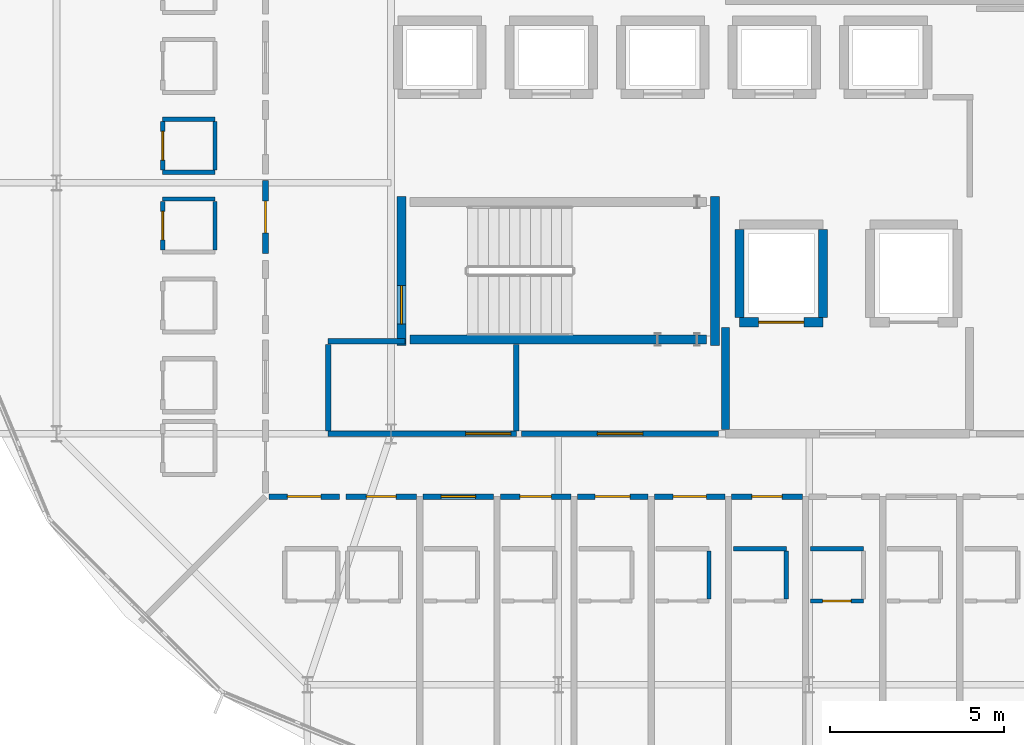
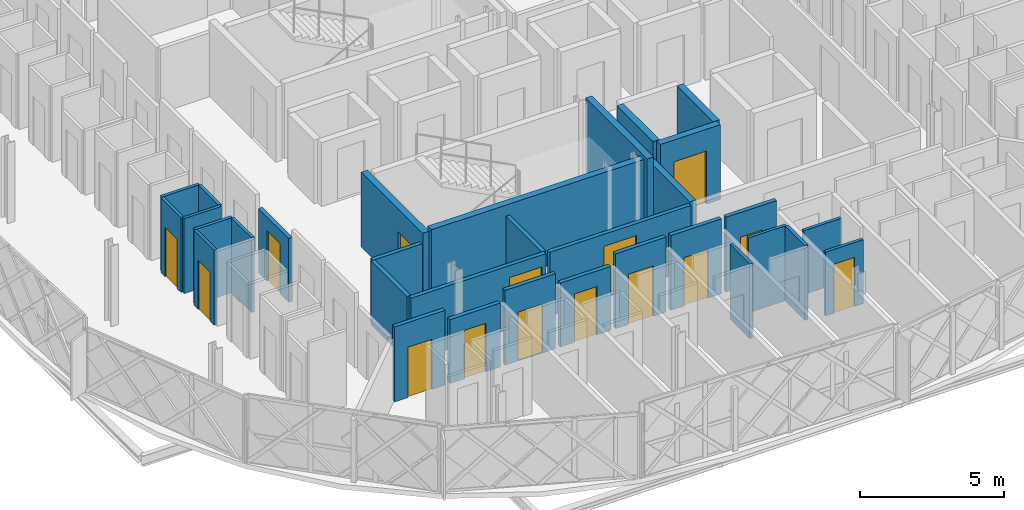
# One storey, part 14 of 25: 32 walls, 15 doors, 15 openings.
"""IFC4 building model written with IfcOpenShell, lengths in metres."""

import ifcopenshell
import ifcopenshell.guid

model = None  # the IFC model being written
_history = None  # IfcOwnerHistory: only IFC2X3 demands one
_inside = {}  # id of a spatial element -> (the spatial element, [elements in it])
_under = {}  # id of a project, library or spatial element -> (it, [spatial elements below it])
_declared = {}  # id of a project -> (the project, [libraries it declares])
_typed = {}  # id of a type object -> (the type object, [elements of that type])
_made_of = {}  # id of a material, layer set ... -> (it, [elements and type objects made of it])


def new_model(schema):
    """Start an empty IFC model of exactly this schema.

    Asked for "IFC4X3", IfcOpenShell would pick the latest addendum, in which some entities
    have other attributes; the version numbers below select the first issue.
    IFC2X3 requires an IfcOwnerHistory on every rooted entity: one is made here for all.
    """
    global model, _history
    if schema == "IFC4X3":
        model = ifcopenshell.file(schema_version=(4, 3, 0, 0))
    else:
        model = ifcopenshell.file(schema=schema)
    _inside.clear()
    _under.clear()
    _declared.clear()
    _typed.clear()
    _made_of.clear()
    _history = None
    if model.schema == "IFC2X3":
        org = make("IfcOrganization", Name="unknown")
        user = make(
            "IfcPersonAndOrganization",
            ThePerson=make("IfcPerson", FamilyName="unknown"),
            TheOrganization=org,
        )
        app = make(
            "IfcApplication",
            ApplicationDeveloper=org,
            Version="unknown",
            ApplicationFullName="unknown",
            ApplicationIdentifier="unknown",
        )
        _history = make(
            "IfcOwnerHistory",
            OwningUser=user,
            OwningApplication=app,
            ChangeAction="ADDED",
            CreationDate=0,
        )
    return model


def make(cls, **values):
    """One entity of the class cls with the attributes given. An attribute that is None is left unset."""
    return model.create_entity(
        cls, **{name: value for name, value in values.items() if value is not None}
    )


def rooted(cls, **values):
    """An entity with a GlobalId (a new one), such as an element, a storey or a relation."""
    return make(cls, GlobalId=ifcopenshell.guid.new(), OwnerHistory=_history, **values)


def si_unit(unit_type, name, prefix=None):
    """IfcSIUnit, for example si_unit("LENGTHUNIT", "METRE", prefix="MILLI")."""
    return make("IfcSIUnit", UnitType=unit_type, Prefix=prefix, Name=name)


def assignment(units):
    """IfcUnitAssignment: the units of a project."""
    return None if units is None else make("IfcUnitAssignment", Units=units)


def point(xyz):
    """IfcCartesianPoint."""
    return None if xyz is None else make("IfcCartesianPoint", Coordinates=xyz)


def direction(xyz):
    """IfcDirection."""
    return None if xyz is None else make("IfcDirection", DirectionRatios=xyz)


def frame(location, z_axis=None, x_axis=None):
    """IfcAxis2Placement3D, a coordinate frame: its origin and axes. An axis left out is left unset."""
    return make(
        "IfcAxis2Placement3D",
        Location=point(location),
        Axis=direction(z_axis),
        RefDirection=direction(x_axis),
    )


def frame_2d(location, x_axis=None):
    """IfcAxis2Placement2D, a coordinate frame in the plane: its origin and x axis."""
    return make(
        "IfcAxis2Placement2D", Location=point(location), RefDirection=direction(x_axis)
    )


def origin():
    """The frame at (0, 0, 0) with its axes left unset."""
    return frame((0.0, 0.0, 0.0))


def place(relative_to, where):
    """IfcLocalPlacement: puts the frame where relative to a parent placement (None: the world)."""
    return make(
        "IfcLocalPlacement", PlacementRelTo=relative_to, RelativePlacement=where
    )


def context(
    kind, dimensions, precision=None, world=None, true_north=None, identifier=None
):
    """IfcGeometricRepresentationContext, for example the 3D "Model" context."""
    return make(
        "IfcGeometricRepresentationContext",
        ContextIdentifier=identifier,
        ContextType=kind,
        CoordinateSpaceDimension=dimensions,
        Precision=precision,
        WorldCoordinateSystem=world,
        TrueNorth=true_north,
    )


def subcontext(parent, identifier, kind, view, scale=None):
    """IfcGeometricRepresentationSubContext, for example "Body" below "Model"."""
    return make(
        "IfcGeometricRepresentationSubContext",
        ContextIdentifier=identifier,
        ContextType=kind,
        ParentContext=parent,
        TargetScale=scale,
        TargetView=view,
    )


def project(units=None, contexts=None):
    """IfcProject with its units and contexts."""
    return rooted(
        "IfcProject",
        Name="project",
        RepresentationContexts=contexts,
        UnitsInContext=assignment(units),
    )


def spatial(cls, under=None, at=None, **own):
    """A site, building, storey or space (cls), placed at a placement, below another one or the project."""
    s = rooted(cls, ObjectPlacement=at, **own)
    if under is not None:
        _under.setdefault(under.id(), (under, []))[1].append(s)
    return s


def profile(cls, at=None, kind="AREA", **sizes):
    """A parametric profile (cls). Its sizes go by their IFC names, for example OverallWidth=200.0."""
    return make(cls, ProfileType=kind, Position=at, **sizes)


def rectangle(**sizes):
    """IfcRectangleProfileDef."""
    return profile("IfcRectangleProfileDef", **sizes)


def extrude(swept, where, along, depth):
    """IfcExtrudedAreaSolid: the profile swept, set in the frame where, extruded along a direction by depth."""
    return make(
        "IfcExtrudedAreaSolid",
        SweptArea=swept,
        Position=where,
        ExtrudedDirection=direction(along),
        Depth=depth,
    )


def shape(context_of_items, identifier, shape_type, items):
    """IfcShapeRepresentation: the items that make up one representation, for example the "Body"."""
    return make(
        "IfcShapeRepresentation",
        ContextOfItems=context_of_items,
        RepresentationIdentifier=identifier,
        RepresentationType=shape_type,
        Items=items,
    )


def material(Name=None, Category=None):
    """IfcMaterial."""
    return make("IfcMaterial", Name=Name, Category=Category)


def layer(
    of_material, thickness, ventilated=None, Name=None, Category=None, Priority=None
):
    """IfcMaterialLayer: one layer of a wall or slab, of a material (None: an air gap)."""
    return make(
        "IfcMaterialLayer",
        Material=of_material,
        LayerThickness=thickness,
        IsVentilated=ventilated,
        Name=Name,
        Category=Category,
        Priority=Priority,
    )


def layer_set(layers, Name=None):
    """IfcMaterialLayerSet."""
    return make("IfcMaterialLayerSet", MaterialLayers=layers, LayerSetName=Name)


def made_of(thing, what):
    """Note that an element or type object is made of a material, layer set ...; save() writes the relation."""
    if what is not None:
        _made_of.setdefault(what.id(), (what, []))[1].append(thing)
    return thing


def type_object(cls, material=None, **own):
    """A type object (cls), such as IfcWallType, which elements share."""
    return made_of(rooted(cls, **own), material)


def element(
    cls,
    number,
    at=None,
    inside=None,
    cuts=None,
    type_object=None,
    material=None,
    context=None,
    identifier="Body",
    shape_type=None,
    held_by="IfcProductDefinitionShape",
    body=None,
    shapes=None,
    **own,
):
    """One element of the class cls, such as IfcWall. Its Tag is "e" and its number.

    at: its placement. inside: the storey or other place that contains it. cuts: it is an
    opening in that element (IfcRelVoidsElement). A single representation is given by context,
    identifier, shape_type and body (its items); several are given by shapes. held_by: the class
    of the entity that holds the representations. save() writes the other relations.
    """
    e = rooted(cls, Tag="e%d" % number, ObjectPlacement=at, **own)
    if body is not None:
        shapes = [shape(context, identifier, shape_type, body)]
    if shapes is not None:
        e.Representation = make(held_by, Representations=shapes)
    if inside is not None:
        _inside.setdefault(inside.id(), (inside, []))[1].append(e)
    if cuts is not None:
        rooted(
            "IfcRelVoidsElement", RelatingBuildingElement=cuts, RelatedOpeningElement=e
        )
    if type_object is not None:
        _typed.setdefault(type_object.id(), (type_object, []))[1].append(e)
    return made_of(e, material)


def fill(opening, filler):
    """IfcRelFillsElement: the door or window that sits in an opening."""
    return rooted(
        "IfcRelFillsElement",
        RelatingOpeningElement=opening,
        RelatedBuildingElement=filler,
    )


def aggregate(whole, parts):
    """IfcRelAggregates: a whole, such as a stair, and the parts it consists of."""
    return rooted("IfcRelAggregates", RelatingObject=whole, RelatedObjects=parts)


def save(model, path):
    """Write the relations noted so far, then the file.

    IfcRelAggregates (storeys below a building ...), IfcRelContainedInSpatialStructure (elements
    in a storey), IfcRelDefinesByType, IfcRelAssociatesMaterial and IfcRelDeclares: one each for
    every whole, place, type object, material and project.
    """
    for whole, parts in _under.values():
        aggregate(whole, parts)
    for where, things in _inside.values():
        rooted(
            "IfcRelContainedInSpatialStructure",
            RelatedElements=things,
            RelatingStructure=where,
        )
    for kind, things in _typed.values():
        rooted("IfcRelDefinesByType", RelatedObjects=things, RelatingType=kind)
    for what, things in _made_of.values():
        rooted("IfcRelAssociatesMaterial", RelatedObjects=things, RelatingMaterial=what)
    for by, libraries in _declared.values():
        rooted("IfcRelDeclares", RelatingContext=by, RelatedDefinitions=libraries)
    model.write(path)


model = new_model("IFC4")

# Units and contexts
model_context = context("Model", 3, precision=1e-05, world=origin(), true_north=direction((0.0, 1.0)))
body_context = subcontext(model_context, "Body", "Model", "MODEL_VIEW")
ifc_project = project(units=[si_unit("LENGTHUNIT", "METRE"), si_unit("AREAUNIT", "SQUARE_METRE"), si_unit("VOLUMEUNIT", "CUBIC_METRE"), si_unit("PLANEANGLEUNIT", "RADIAN"), si_unit("MASSUNIT", "GRAM", prefix="KILO")], contexts=[model_context])

# Site, building, storey
site_placement = place(None, origin())
site = spatial("IfcSite", under=ifc_project, at=site_placement, CompositionType="ELEMENT")
building_placement = place(site_placement, origin())
building = spatial("IfcBuilding", under=site, at=building_placement, Name="Zevrakil Square Congress Hotel", CompositionType="ELEMENT")
storey_placement = place(building_placement, frame((0.0, 0.0, 28.300048828125)))
storey = spatial("IfcBuildingStorey", under=building, at=storey_placement, Name="L08", CompositionType="ELEMENT", Elevation=28.300048828125)

# Wall
ifc_material_1 = material(Name="Concrete C35/45", Category="concrete")
ifc_layer_1 = layer(ifc_material_1, 0.239990234375)
ifc_layer_set_1 = layer_set([ifc_layer_1], Name="Concrete C35/45")
wall_type_1 = type_object("IfcWallType", Name="WAL-COMP-240", PredefinedType="SOLIDWALL", material=ifc_layer_set_1)
wall_1_placement = place(storey_placement, frame((146.39990234375, 16.925048828125, 0.0), z_axis=(0.0, 0.0, 1.0), x_axis=(0.0, 1.0, 0.0)))
element("IfcWall", 1, at=wall_1_placement, inside=storey, type_object=wall_type_1, Name="L08 interior partition PW-L08-1112", PredefinedType="SOLIDWALL", context=body_context, shape_type="SweptSolid", body=[
    extrude(rectangle(XDim=2.925048828125, YDim=0.239990234375, at=frame_2d((1.46240234375, 0.0))), origin(), (0.0, 0.0, 1.0), 2.7099609375),
])

# Wall, opening, door
ifc_material_2 = material(Name="Gypsum Acoustic Stud Partition")
ifc_layer_2 = layer(ifc_material_2, 0.159912109375)
ifc_layer_set_2 = layer_set([ifc_layer_2], Name="Gypsum Acoustic Stud Partition")
wall_type_2 = type_object("IfcWallType", Name="WAL-CORR-160", PredefinedType="PARTITIONING", material=ifc_layer_set_2)
wall_2_placement = place(storey_placement, frame((135.0, 16.800048828125, 0.0), z_axis=(0.0, 0.0, 1.0), x_axis=(1.0, 0.0, 0.0)))
wall_2 = element("IfcWall", 2, at=wall_2_placement, inside=storey, type_object=wall_type_2, Name="L08 interior partition PW-L08-1114", PredefinedType="PARTITIONING", context=body_context, shape_type="SweptSolid", body=[
    extrude(rectangle(XDim=5.39990234375, YDim=0.159912109375, at=frame_2d((2.699951171875, 0.0))), origin(), (0.0, 0.0, 1.0), 2.7099609375),
])
opening_1_placement = place(wall_2_placement, frame((3.93994140625, 0.0, 0.0)))
opening_1 = element("IfcOpeningElement", 3, at=opening_1_placement, cuts=wall_2, Name="Opening ID-08", PredefinedType="OPENING", context=body_context, shape_type="SweptSolid", body=[
    extrude(rectangle(XDim=1.300048828125, YDim=2.199951171875, at=frame_2d((0.64990234375, 1.10009765625))), frame((0.0, 0.08984375, 0.0), z_axis=(0.0, -1.0, 0.0), x_axis=(1.0, 0.0, 0.0)), (0.0, 0.0, 1.0), 0.179931640625),
])
ifc_material_3 = material(Name="Service Corridor Leaf-and-Half Door")
door_type_1 = type_object("IfcDoorType", Name="DOR-BOH-130", OperationType="NOTDEFINED", PredefinedType="DOOR", material=ifc_material_3)
door_1_placement = place(opening_1_placement, origin())
door_1 = element("IfcDoor", 4, at=door_1_placement, inside=storey, type_object=door_type_1, Name="L08 interior door 437", OperationType="SINGLE_SWING_LEFT", OverallHeight=2.199951171875, OverallWidth=1.300048828125, PredefinedType="DOOR", context=body_context, shape_type="SweptSolid", body=[
    extrude(rectangle(XDim=1.300048828125, YDim=2.199951171875, at=frame_2d((0.64990234375, 1.10009765625))), frame((0.0, 0.02490234375, 0.0), z_axis=(0.0, -1.0, 0.0), x_axis=(1.0, 0.0, 0.0)), (0.0, 0.0, 1.0), 0.050048828125),
])
fill(opening_1, door_1)

# Walls
for number, where, z_axis, x_axis, name in (
    (5, (135.0, 16.885009765625, 0.0), (0.0, 0.0, 1.0), (0.0, 1.0, 0.0), "L08 interior partition PW-L08-1115"),
    (6, (140.39990234375, 16.885009765625, 0.0), (0.0, 0.0, 1.0), (0.0, 1.0, 0.0), "L08 interior partition PW-L08-1116"),
):
    element("IfcWall", number, at=place(storey_placement, frame(where, z_axis=z_axis, x_axis=x_axis)), inside=storey, type_object=wall_type_2, Name=name, PredefinedType="PARTITIONING", context=body_context, shape_type="SweptSolid", body=[
        extrude(rectangle(XDim=2.47998046875, YDim=0.159912109375, at=frame_2d((1.239990234375, 0.0))), origin(), (0.0, 0.0, 1.0), 2.7099609375),
    ])
wall_3_placement = place(storey_placement, frame((135.0, 19.449951171875, 0.0), z_axis=(0.0, 0.0, 1.0), x_axis=(1.0, 0.0, 0.0)))
element("IfcWall", 7, at=wall_3_placement, inside=storey, type_object=wall_type_2, Name="L08 interior partition PW-L08-1117", PredefinedType="PARTITIONING", context=body_context, shape_type="SweptSolid", body=[
    extrude(rectangle(XDim=2.199951171875, YDim=0.159912109375, at=frame_2d((1.10009765625, 0.0))), origin(), (0.0, 0.0, 1.0), 2.7099609375),
])

# Wall, opening, door
wall_4_placement = place(storey_placement, frame((140.550048828125, 16.800048828125, 0.0), z_axis=(0.0, 0.0, 1.0), x_axis=(1.0, 0.0, 0.0)))
wall_4 = element("IfcWall", 8, at=wall_4_placement, inside=storey, type_object=wall_type_2, Name="L08 interior partition PW-L08-1118", PredefinedType="PARTITIONING", context=body_context, shape_type="SweptSolid", body=[
    extrude(rectangle(XDim=5.64990234375, YDim=0.159912109375, at=frame_2d((2.824951171875, 0.0))), origin(), (0.0, 0.0, 1.0), 2.7099609375),
])
opening_2_placement = place(wall_4_placement, frame((2.175048828125, 0.0, 0.0)))
opening_2 = element("IfcOpeningElement", 9, at=opening_2_placement, cuts=wall_4, Name="Opening ID-08", PredefinedType="OPENING", context=body_context, shape_type="SweptSolid", body=[
    extrude(rectangle(XDim=1.300048828125, YDim=2.199951171875, at=frame_2d((0.64990234375, 1.10009765625))), frame((0.0, 0.08984375, 0.0), z_axis=(0.0, -1.0, 0.0), x_axis=(1.0, 0.0, 0.0)), (0.0, 0.0, 1.0), 0.179931640625),
])
door_2_placement = place(opening_2_placement, origin())
door_2 = element("IfcDoor", 10, at=door_2_placement, inside=storey, type_object=door_type_1, Name="L08 interior door 438", OperationType="SINGLE_SWING_RIGHT", OverallHeight=2.199951171875, OverallWidth=1.300048828125, PredefinedType="DOOR", context=body_context, shape_type="SweptSolid", body=[
    extrude(rectangle(XDim=1.300048828125, YDim=2.199951171875, at=frame_2d((0.64990234375, 1.10009765625))), frame((0.0, 0.02490234375, 0.0), z_axis=(0.0, -1.0, 0.0), x_axis=(1.0, 0.0, 0.0)), (0.0, 0.0, 1.0), 0.050048828125),
])
fill(opening_2, door_2)

wall_5_placement = place(storey_placement, frame((133.294921875, 15.0, 0.0), z_axis=(0.0, 0.0, 1.0), x_axis=(1.0, 0.0, 0.0)))
wall_5 = element("IfcWall", 11, at=wall_5_placement, inside=storey, type_object=wall_type_2, Name="L08 interior partition PW-L08-1133", PredefinedType="PARTITIONING", context=body_context, shape_type="SweptSolid", body=[
    extrude(rectangle(XDim=2.023681640625, YDim=0.159912109375, at=frame_2d((1.01171875, 0.0))), origin(), (0.0, 0.0, 1.0), 3.175048828125),
])
opening_3_placement = place(wall_5_placement, frame((0.53173828125, 0.0, 0.0)))
opening_3 = element("IfcOpeningElement", 12, at=opening_3_placement, cuts=wall_5, Name="Opening ID-H10", PredefinedType="OPENING", context=body_context, shape_type="SweptSolid", body=[
    extrude(rectangle(XDim=0.9599609375, YDim=2.1298828125, at=frame_2d((0.47998046875, 1.06494140625))), frame((0.0, 0.08984375, 0.0), z_axis=(0.0, -1.0, 0.0), x_axis=(1.0, 0.0, 0.0)), (0.0, 0.0, 1.0), 0.179931640625),
])
ifc_material_4 = material(Name="Acoustic Timber Fire Door", Category="wood")
door_type_2 = type_object("IfcDoorType", Name="DOR-INT-H10", OperationType="NOTDEFINED", PredefinedType="DOOR", material=ifc_material_4)
door_3_placement = place(opening_3_placement, origin())
door_3 = element("IfcDoor", 13, at=door_3_placement, inside=storey, type_object=door_type_2, Name="L08 interior door 443", OperationType="SINGLE_SWING_LEFT", OverallHeight=2.1298828125, OverallWidth=0.9599609375, PredefinedType="DOOR", context=body_context, shape_type="SweptSolid", body=[
    extrude(rectangle(XDim=0.9599609375, YDim=2.1298828125, at=frame_2d((0.47998046875, 1.06494140625))), frame((0.0, 0.02490234375, 0.0), z_axis=(0.0, -1.0, 0.0), x_axis=(1.0, 0.0, 0.0)), (0.0, 0.0, 1.0), 0.050048828125),
])
fill(opening_3, door_3)

wall_6_placement = place(storey_placement, frame((135.508544921875, 15.0, 0.0), z_axis=(0.0, 0.0, 1.0), x_axis=(1.0, 0.0, 0.0)))
wall_6 = element("IfcWall", 14, at=wall_6_placement, inside=storey, type_object=wall_type_2, Name="L08 interior partition PW-L08-1139", PredefinedType="PARTITIONING", context=body_context, shape_type="SweptSolid", body=[
    extrude(rectangle(XDim=2.023681640625, YDim=0.159912109375, at=frame_2d((1.01171875, 0.0))), origin(), (0.0, 0.0, 1.0), 2.7099609375),
])
opening_4_placement = place(wall_6_placement, frame((0.584228515625, 0.0, 0.0)))
opening_4 = element("IfcOpeningElement", 15, at=opening_4_placement, cuts=wall_6, Name="Opening ID-G01", PredefinedType="OPENING", context=body_context, shape_type="SweptSolid", body=[
    extrude(rectangle(XDim=0.85498046875, YDim=2.050048828125, at=frame_2d((0.427490234375, 1.02490234375))), frame((0.0, 0.08984375, 0.0), z_axis=(0.0, -1.0, 0.0), x_axis=(1.0, 0.0, 0.0)), (0.0, 0.0, 1.0), 0.179931640625),
])
ifc_material_5 = material(Name="Acoustic Timber Fire Door", Category="wood")
door_type_3 = type_object("IfcDoorType", Name="DOR-INT-G01", OperationType="NOTDEFINED", PredefinedType="DOOR", material=ifc_material_5)
door_4_placement = place(opening_4_placement, origin())
door_4 = element("IfcDoor", 16, at=door_4_placement, inside=storey, type_object=door_type_3, Name="L08 interior door 445", OperationType="SINGLE_SWING_LEFT", OverallHeight=2.050048828125, OverallWidth=0.85498046875, PredefinedType="DOOR", context=body_context, shape_type="SweptSolid", body=[
    extrude(rectangle(XDim=0.85498046875, YDim=2.050048828125, at=frame_2d((0.427490234375, 1.02490234375))), frame((0.0, 0.02490234375, 0.0), z_axis=(0.0, -1.0, 0.0), x_axis=(1.0, 0.0, 0.0)), (0.0, 0.0, 1.0), 0.050048828125),
])
fill(opening_4, door_4)

wall_7_placement = place(storey_placement, frame((137.722412109375, 15.0, 0.0), z_axis=(0.0, 0.0, 1.0), x_axis=(1.0, 0.0, 0.0)))
wall_7 = element("IfcWall", 17, at=wall_7_placement, inside=storey, type_object=wall_type_2, Name="L08 interior partition PW-L08-1145", PredefinedType="PARTITIONING", context=body_context, shape_type="SweptSolid", body=[
    extrude(rectangle(XDim=2.0234375, YDim=0.159912109375, at=frame_2d((1.01171875, 0.0))), origin(), (0.0, 0.0, 1.0), 3.175048828125),
])
opening_5_placement = place(wall_7_placement, frame((0.519775390625, 0.0, 0.0)))
opening_5 = element("IfcOpeningElement", 18, at=opening_5_placement, cuts=wall_7, Name="Opening ID-H12", PredefinedType="OPENING", context=body_context, shape_type="SweptSolid", body=[
    extrude(rectangle(XDim=0.98388671875, YDim=2.070068359375, at=frame_2d((0.491943359375, 1.03515625))), frame((0.0, 0.08984375, 0.0), z_axis=(0.0, -1.0, 0.0), x_axis=(1.0, 0.0, 0.0)), (0.0, 0.0, 1.0), 0.179931640625),
])
ifc_material_6 = material(Name="Acoustic Timber Fire Door", Category="wood")
door_type_4 = type_object("IfcDoorType", Name="DOR-INT-H12", OperationType="NOTDEFINED", PredefinedType="DOOR", material=ifc_material_6)
door_5_placement = place(opening_5_placement, origin())
door_5 = element("IfcDoor", 19, at=door_5_placement, inside=storey, type_object=door_type_4, Name="L08 interior door 447", OperationType="SINGLE_SWING_LEFT", OverallHeight=2.070068359375, OverallWidth=0.98388671875, PredefinedType="DOOR", context=body_context, shape_type="SweptSolid", body=[
    extrude(rectangle(XDim=0.98388671875, YDim=2.070068359375, at=frame_2d((0.491943359375, 1.03515625))), frame((0.0, 0.02490234375, 0.0), z_axis=(0.0, -1.0, 0.0), x_axis=(1.0, 0.0, 0.0)), (0.0, 0.0, 1.0), 0.050048828125),
])
fill(opening_5, door_5)

wall_8_placement = place(storey_placement, frame((139.935791015625, 15.0, 0.0), z_axis=(0.0, 0.0, 1.0), x_axis=(1.0, 0.0, 0.0)))
wall_8 = element("IfcWall", 20, at=wall_8_placement, inside=storey, type_object=wall_type_2, Name="L08 interior partition PW-L08-1150", PredefinedType="PARTITIONING", context=body_context, shape_type="SweptSolid", body=[
    extrude(rectangle(XDim=2.023681640625, YDim=0.159912109375, at=frame_2d((1.01171875, 0.0))), origin(), (0.0, 0.0, 1.0), 2.7099609375),
])
opening_6_placement = place(wall_8_placement, frame((0.559326171875, 0.0, 0.0)))
opening_6 = element("IfcOpeningElement", 21, at=opening_6_placement, cuts=wall_8, Name="Opening ID-G03", PredefinedType="OPENING", context=body_context, shape_type="SweptSolid", body=[
    extrude(rectangle(XDim=0.905029296875, YDim=2.050048828125, at=frame_2d((0.45263671875, 1.02490234375))), frame((0.0, 0.08984375, 0.0), z_axis=(0.0, -1.0, 0.0), x_axis=(1.0, 0.0, 0.0)), (0.0, 0.0, 1.0), 0.179931640625),
])
ifc_material_7 = material(Name="Acoustic Timber Fire Door", Category="wood")
door_type_5 = type_object("IfcDoorType", Name="DOR-INT-G03", OperationType="NOTDEFINED", PredefinedType="DOOR", material=ifc_material_7)
door_6_placement = place(opening_6_placement, origin())
door_6 = element("IfcDoor", 22, at=door_6_placement, inside=storey, type_object=door_type_5, Name="L08 interior door 449", OperationType="SINGLE_SWING_LEFT", OverallHeight=2.050048828125, OverallWidth=0.905029296875, PredefinedType="DOOR", context=body_context, shape_type="SweptSolid", body=[
    extrude(rectangle(XDim=0.905029296875, YDim=2.050048828125, at=frame_2d((0.45263671875, 1.02490234375))), frame((0.0, 0.02490234375, 0.0), z_axis=(0.0, -1.0, 0.0), x_axis=(1.0, 0.0, 0.0)), (0.0, 0.0, 1.0), 0.050048828125),
])
fill(opening_6, door_6)

wall_9_placement = place(storey_placement, frame((142.1494140625, 15.0, 0.0), z_axis=(0.0, 0.0, 1.0), x_axis=(1.0, 0.0, 0.0)))
wall_9 = element("IfcWall", 23, at=wall_9_placement, inside=storey, type_object=wall_type_2, Name="L08 interior partition PW-L08-1155", PredefinedType="PARTITIONING", context=body_context, shape_type="SweptSolid", body=[
    extrude(rectangle(XDim=2.023681640625, YDim=0.159912109375, at=frame_2d((1.01171875, 0.0))), origin(), (0.0, 0.0, 1.0), 3.175048828125),
])
opening_7_placement = place(wall_9_placement, frame((0.5078125, 0.0, 0.0)))
opening_7 = element("IfcOpeningElement", 24, at=opening_7_placement, cuts=wall_9, Name="Opening ID-H14", PredefinedType="OPENING", context=body_context, shape_type="SweptSolid", body=[
    extrude(rectangle(XDim=1.008056640625, YDim=2.1298828125, at=frame_2d((0.50390625, 1.06494140625))), frame((0.0, 0.08984375, 0.0), z_axis=(0.0, -1.0, 0.0), x_axis=(1.0, 0.0, 0.0)), (0.0, 0.0, 1.0), 0.179931640625),
])
ifc_material_8 = material(Name="Acoustic Timber Fire Door", Category="wood")
door_type_6 = type_object("IfcDoorType", Name="DOR-INT-H14", OperationType="NOTDEFINED", PredefinedType="DOOR", material=ifc_material_8)
door_7_placement = place(opening_7_placement, origin())
door_7 = element("IfcDoor", 25, at=door_7_placement, inside=storey, type_object=door_type_6, Name="L08 interior door 451", OperationType="SINGLE_SWING_LEFT", OverallHeight=2.1298828125, OverallWidth=1.008056640625, PredefinedType="DOOR", context=body_context, shape_type="SweptSolid", body=[
    extrude(rectangle(XDim=1.008056640625, YDim=2.1298828125, at=frame_2d((0.50390625, 1.06494140625))), frame((0.0, 0.02490234375, 0.0), z_axis=(0.0, -1.0, 0.0), x_axis=(1.0, 0.0, 0.0)), (0.0, 0.0, 1.0), 0.050048828125),
])
fill(opening_7, door_7)

wall_10_placement = place(storey_placement, frame((144.36328125, 15.0, 0.0), z_axis=(0.0, 0.0, 1.0), x_axis=(1.0, 0.0, 0.0)))
wall_10 = element("IfcWall", 26, at=wall_10_placement, inside=storey, type_object=wall_type_2, Name="L08 interior partition PW-L08-1160", PredefinedType="PARTITIONING", context=body_context, shape_type="SweptSolid", body=[
    extrude(rectangle(XDim=2.0234375, YDim=0.159912109375, at=frame_2d((1.01171875, 0.0))), origin(), (0.0, 0.0, 1.0), 3.175048828125),
])
opening_8_placement = place(wall_10_placement, frame((0.5341796875, 0.0, 0.0)))
opening_8 = element("IfcOpeningElement", 27, at=opening_8_placement, cuts=wall_10, Name="Opening ID-G05", PredefinedType="OPENING", context=body_context, shape_type="SweptSolid", body=[
    extrude(rectangle(XDim=0.955078125, YDim=2.050048828125, at=frame_2d((0.4775390625, 1.02490234375))), frame((0.0, 0.08984375, 0.0), z_axis=(0.0, -1.0, 0.0), x_axis=(1.0, 0.0, 0.0)), (0.0, 0.0, 1.0), 0.179931640625),
])
ifc_material_9 = material(Name="Acoustic Timber Fire Door", Category="wood")
door_type_7 = type_object("IfcDoorType", Name="DOR-INT-G05", OperationType="NOTDEFINED", PredefinedType="DOOR", material=ifc_material_9)
door_8_placement = place(opening_8_placement, origin())
door_8 = element("IfcDoor", 28, at=door_8_placement, inside=storey, type_object=door_type_7, Name="L08 interior door 453", OperationType="SINGLE_SWING_LEFT", OverallHeight=2.050048828125, OverallWidth=0.955078125, PredefinedType="DOOR", context=body_context, shape_type="SweptSolid", body=[
    extrude(rectangle(XDim=0.955078125, YDim=2.050048828125, at=frame_2d((0.4775390625, 1.02490234375))), frame((0.0, 0.02490234375, 0.0), z_axis=(0.0, -1.0, 0.0), x_axis=(1.0, 0.0, 0.0)), (0.0, 0.0, 1.0), 0.050048828125),
])
fill(opening_8, door_8)

wall_11_placement = place(storey_placement, frame((146.576904296875, 15.0, 0.0), z_axis=(0.0, 0.0, 1.0), x_axis=(1.0, 0.0, 0.0)))
wall_11 = element("IfcWall", 29, at=wall_11_placement, inside=storey, type_object=wall_type_2, Name="L08 interior partition PW-L08-1165", PredefinedType="PARTITIONING", context=body_context, shape_type="SweptSolid", body=[
    extrude(rectangle(XDim=2.023681640625, YDim=0.159912109375, at=frame_2d((1.01171875, 0.0))), origin(), (0.0, 0.0, 1.0), 3.175048828125),
])
opening_9_placement = place(wall_11_placement, frame((0.579833984375, 0.0, 0.0)))
opening_9 = element("IfcOpeningElement", 30, at=opening_9_placement, cuts=wall_11, Name="Opening ID-H02", PredefinedType="OPENING", context=body_context, shape_type="SweptSolid", body=[
    extrude(rectangle(XDim=0.864013671875, YDim=2.1298828125, at=frame_2d((0.43212890625, 1.06494140625))), frame((0.0, 0.08984375, 0.0), z_axis=(0.0, -1.0, 0.0), x_axis=(1.0, 0.0, 0.0)), (0.0, 0.0, 1.0), 0.179931640625),
])
ifc_material_10 = material(Name="Acoustic Timber Fire Door", Category="wood")
door_type_8 = type_object("IfcDoorType", Name="DOR-INT-H02", OperationType="NOTDEFINED", PredefinedType="DOOR", material=ifc_material_10)
door_9_placement = place(opening_9_placement, origin())
door_9 = element("IfcDoor", 31, at=door_9_placement, inside=storey, type_object=door_type_8, Name="L08 interior door 455", OperationType="SINGLE_SWING_LEFT", OverallHeight=2.1298828125, OverallWidth=0.864013671875, PredefinedType="DOOR", context=body_context, shape_type="SweptSolid", body=[
    extrude(rectangle(XDim=0.864013671875, YDim=2.1298828125, at=frame_2d((0.43212890625, 1.06494140625))), frame((0.0, 0.02490234375, 0.0), z_axis=(0.0, -1.0, 0.0), x_axis=(1.0, 0.0, 0.0)), (0.0, 0.0, 1.0), 0.050048828125),
])
fill(opening_9, door_9)

wall_12_placement = place(storey_placement, frame((133.199951171875, 21.9677734375, 0.0), z_axis=(0.0, 0.0, 1.0), x_axis=(0.0, 1.0, 0.0)))
wall_12 = element("IfcWall", 32, at=wall_12_placement, inside=storey, type_object=wall_type_2, Name="L08 interior partition PW-L08-1328", PredefinedType="PARTITIONING", context=body_context, shape_type="SweptSolid", body=[
    extrude(rectangle(XDim=2.100830078125, YDim=0.159912109375, at=frame_2d((1.05029296875, 0.0))), origin(), (0.0, 0.0, 1.0), 2.7099609375),
])
opening_10_placement = place(wall_12_placement, frame((0.594482421875, 0.0, 0.0)))
opening_10 = element("IfcOpeningElement", 33, at=opening_10_placement, cuts=wall_12, Name="Opening ID-H06", PredefinedType="OPENING", context=body_context, shape_type="SweptSolid", body=[
    extrude(rectangle(XDim=0.912109375, YDim=2.1298828125, at=frame_2d((0.4560546875, 1.06494140625))), frame((0.0, 0.08984375, 0.0), z_axis=(0.0, -1.0, 0.0), x_axis=(1.0, 0.0, 0.0)), (0.0, 0.0, 1.0), 0.179931640625),
])
ifc_material_11 = material(Name="Acoustic Timber Fire Door", Category="wood")
door_type_9 = type_object("IfcDoorType", Name="DOR-INT-H06", OperationType="NOTDEFINED", PredefinedType="DOOR", material=ifc_material_11)
door_10_placement = place(opening_10_placement, origin())
door_10 = element("IfcDoor", 34, at=door_10_placement, inside=storey, type_object=door_type_9, Name="L08 interior door 519", OperationType="SINGLE_SWING_LEFT", OverallHeight=2.1298828125, OverallWidth=0.912109375, PredefinedType="DOOR", context=body_context, shape_type="SweptSolid", body=[
    extrude(rectangle(XDim=0.912109375, YDim=2.1298828125, at=frame_2d((0.4560546875, 1.06494140625))), frame((0.0, 0.02490234375, 0.0), z_axis=(0.0, -1.0, 0.0), x_axis=(1.0, 0.0, 0.0)), (0.0, 0.0, 1.0), 0.050048828125),
])
fill(opening_10, door_10)

# Walls
ifc_material_12 = material(Name="Moisture-Resistant Gypsum Partition")
ifc_layer_3 = layer(ifc_material_12, 0.1201171875)
ifc_layer_set_3 = layer_set([ifc_layer_3], Name="Moisture-Resistant Gypsum Partition")
wall_type_3 = type_object("IfcWallType", Name="WAL-ENS-120", PredefinedType="PARTITIONING", material=ifc_layer_set_3)
wall_13_placement = place(storey_placement, frame((145.92822265625, 12.06494140625, 0.0), z_axis=(0.0, 0.0, 1.0), x_axis=(0.0, 1.0, 0.0)))
element("IfcWall", 35, at=wall_13_placement, inside=storey, type_object=wall_type_3, Name="L08 interior partition PW-L08-1163", PredefinedType="PARTITIONING", context=body_context, shape_type="SweptSolid", body=[
    extrude(rectangle(XDim=1.3701171875, YDim=0.1201171875, at=frame_2d((0.68505859375, 0.0))), origin(), (0.0, 0.0, 1.0), 3.175048828125),
])
wall_14_placement = place(storey_placement, frame((146.621826171875, 13.5, 0.0), z_axis=(0.0, 0.0, 1.0), x_axis=(1.0, 0.0, 0.0)))
element("IfcWall", 36, at=wall_14_placement, inside=storey, type_object=wall_type_3, Name="L08 interior partition PW-L08-1167", PredefinedType="PARTITIONING", context=body_context, shape_type="SweptSolid", body=[
    extrude(rectangle(XDim=1.52001953125, YDim=0.1201171875, at=frame_2d((0.760009765625, 0.0))), origin(), (0.0, 0.0, 1.0), 3.175048828125),
])
wall_15_placement = place(storey_placement, frame((148.141845703125, 12.06494140625, 0.0), z_axis=(0.0, 0.0, 1.0), x_axis=(0.0, 1.0, 0.0)))
element("IfcWall", 37, at=wall_15_placement, inside=storey, type_object=wall_type_3, Name="L08 interior partition PW-L08-1168", PredefinedType="PARTITIONING", context=body_context, shape_type="SweptSolid", body=[
    extrude(rectangle(XDim=1.3701171875, YDim=0.1201171875, at=frame_2d((0.68505859375, 0.0))), origin(), (0.0, 0.0, 1.0), 3.175048828125),
])

# Wall, opening, door
wall_16_placement = place(storey_placement, frame((148.83544921875, 12.0, 0.0), z_axis=(0.0, 0.0, 1.0), x_axis=(1.0, 0.0, 0.0)))
wall_16 = element("IfcWall", 38, at=wall_16_placement, inside=storey, type_object=wall_type_3, Name="L08 interior partition PW-L08-1171", PredefinedType="PARTITIONING", context=body_context, shape_type="SweptSolid", body=[
    extrude(rectangle(XDim=1.52001953125, YDim=0.1201171875, at=frame_2d((0.760009765625, 0.0))), origin(), (0.0, 0.0, 1.0), 2.7099609375),
])
opening_11_placement = place(wall_16_placement, frame((0.35009765625, 0.0, 0.0)))
opening_11 = element("IfcOpeningElement", 39, at=opening_11_placement, cuts=wall_16, Name="Opening ID-11", PredefinedType="OPENING", context=body_context, shape_type="SweptSolid", body=[
    extrude(rectangle(XDim=0.820068359375, YDim=2.080078125, at=frame_2d((0.41015625, 1.0400390625))), frame((0.0, 0.070068359375, 0.0), z_axis=(0.0, -1.0, 0.0), x_axis=(1.0, 0.0, 0.0)), (0.0, 0.0, 1.0), 0.14013671875),
])
ifc_material_13 = material(Name="Acoustic Timber Door", Category="wood")
door_type_10 = type_object("IfcDoorType", Name="DOR-INT-V01", OperationType="NOTDEFINED", PredefinedType="DOOR", material=ifc_material_13)
door_11_placement = place(opening_11_placement, origin())
door_11 = element("IfcDoor", 40, at=door_11_placement, inside=storey, type_object=door_type_10, Name="L08 interior door 458", OperationType="SINGLE_SWING_RIGHT", OverallHeight=2.080078125, OverallWidth=0.820068359375, PredefinedType="DOOR", context=body_context, shape_type="SweptSolid", body=[
    extrude(rectangle(XDim=0.820068359375, YDim=2.080078125, at=frame_2d((0.41015625, 1.0400390625))), frame((0.0, 0.02490234375, 0.0), z_axis=(0.0, -1.0, 0.0), x_axis=(1.0, 0.0, 0.0)), (0.0, 0.0, 1.0), 0.050048828125),
])
fill(opening_11, door_11)

# Walls
wall_17_placement = place(storey_placement, frame((148.83544921875, 13.5, 0.0), z_axis=(0.0, 0.0, 1.0), x_axis=(1.0, 0.0, 0.0)))
element("IfcWall", 41, at=wall_17_placement, inside=storey, type_object=wall_type_3, Name="L08 interior partition PW-L08-1172", PredefinedType="PARTITIONING", context=body_context, shape_type="SweptSolid", body=[
    extrude(rectangle(XDim=1.52001953125, YDim=0.1201171875, at=frame_2d((0.760009765625, 0.0))), origin(), (0.0, 0.0, 1.0), 2.7099609375),
])
for number, where, z_axis, x_axis, name in (
    (42, (130.25, 24.3037109375, 0.0), (0.0, 0.0, 1.0), (1.0, 0.0, 0.0), "L08 interior partition PW-L08-1324"),
    (43, (130.25, 25.823486328125, 0.0), (0.0, 0.0, 1.0), (1.0, 0.0, 0.0), "L08 interior partition PW-L08-1325"),
):
    element("IfcWall", number, at=place(storey_placement, frame(where, z_axis=z_axis, x_axis=x_axis)), inside=storey, type_object=wall_type_3, Name=name, PredefinedType="PARTITIONING", context=body_context, shape_type="SweptSolid", body=[
        extrude(rectangle(XDim=1.5, YDim=0.1201171875, at=frame_2d((0.75, 0.0))), origin(), (0.0, 0.0, 1.0), 3.175048828125),
    ])

# Wall, opening, door
wall_18_placement = place(storey_placement, frame((130.25, 24.36865234375, 0.0), z_axis=(0.0, 0.0, 1.0), x_axis=(0.0, 1.0, 0.0)))
wall_18 = element("IfcWall", 44, at=wall_18_placement, inside=storey, type_object=wall_type_3, Name="L08 interior partition PW-L08-1326", PredefinedType="PARTITIONING", context=body_context, shape_type="SweptSolid", body=[
    extrude(rectangle(XDim=1.389892578125, YDim=0.1201171875, at=frame_2d((0.69482421875, 0.0))), origin(), (0.0, 0.0, 1.0), 3.175048828125),
])
opening_12_placement = place(wall_18_placement, frame((0.284912109375, 0.0, 0.0)))
opening_12 = element("IfcOpeningElement", 45, at=opening_12_placement, cuts=wall_18, Name="Opening ID-11", PredefinedType="OPENING", context=body_context, shape_type="SweptSolid", body=[
    extrude(rectangle(XDim=0.820068359375, YDim=2.080078125, at=frame_2d((0.41015625, 1.0400390625))), frame((0.0, 0.070068359375, 0.0), z_axis=(0.0, -1.0, 0.0), x_axis=(1.0, 0.0, 0.0)), (0.0, 0.0, 1.0), 0.14013671875),
])
door_12_placement = place(opening_12_placement, origin())
door_12 = element("IfcDoor", 46, at=door_12_placement, inside=storey, type_object=door_type_10, Name="L08 interior door 518", OperationType="SINGLE_SWING_RIGHT", OverallHeight=2.080078125, OverallWidth=0.820068359375, PredefinedType="DOOR", context=body_context, shape_type="SweptSolid", body=[
    extrude(rectangle(XDim=0.820068359375, YDim=2.080078125, at=frame_2d((0.41015625, 1.0400390625))), frame((0.0, 0.02490234375, 0.0), z_axis=(0.0, -1.0, 0.0), x_axis=(1.0, 0.0, 0.0)), (0.0, 0.0, 1.0), 0.050048828125),
])
fill(opening_12, door_12)

# Walls
wall_19_placement = place(storey_placement, frame((131.75, 24.36865234375, 0.0), z_axis=(0.0, 0.0, 1.0), x_axis=(0.0, 1.0, 0.0)))
element("IfcWall", 47, at=wall_19_placement, inside=storey, type_object=wall_type_3, Name="L08 interior partition PW-L08-1327", PredefinedType="PARTITIONING", context=body_context, shape_type="SweptSolid", body=[
    extrude(rectangle(XDim=1.389892578125, YDim=0.1201171875, at=frame_2d((0.69482421875, 0.0))), origin(), (0.0, 0.0, 1.0), 3.175048828125),
])
wall_20_placement = place(storey_placement, frame((130.25, 23.53271484375, 0.0), z_axis=(0.0, 0.0, 1.0), x_axis=(1.0, 0.0, 0.0)))
element("IfcWall", 48, at=wall_20_placement, inside=storey, type_object=wall_type_3, Name="L08 interior partition PW-L08-1330", PredefinedType="PARTITIONING", context=body_context, shape_type="SweptSolid", body=[
    extrude(rectangle(XDim=1.5, YDim=0.1201171875, at=frame_2d((0.75, 0.0))), origin(), (0.0, 0.0, 1.0), 3.175048828125),
])

# Wall, opening, door
wall_21_placement = place(storey_placement, frame((130.25, 22.07763671875, 0.0), z_axis=(0.0, 0.0, 1.0), x_axis=(0.0, 1.0, 0.0)))
wall_21 = element("IfcWall", 49, at=wall_21_placement, inside=storey, type_object=wall_type_3, Name="L08 interior partition PW-L08-1331", PredefinedType="PARTITIONING", context=body_context, shape_type="SweptSolid", body=[
    extrude(rectangle(XDim=1.39013671875, YDim=0.1201171875, at=frame_2d((0.695068359375, 0.0))), origin(), (0.0, 0.0, 1.0), 3.175048828125),
])
opening_13_placement = place(wall_21_placement, frame((0.284912109375, 0.0, 0.0)))
opening_13 = element("IfcOpeningElement", 50, at=opening_13_placement, cuts=wall_21, Name="Opening ID-11", PredefinedType="OPENING", context=body_context, shape_type="SweptSolid", body=[
    extrude(rectangle(XDim=0.820068359375, YDim=2.080078125, at=frame_2d((0.41015625, 1.0400390625))), frame((0.0, 0.070068359375, 0.0), z_axis=(0.0, -1.0, 0.0), x_axis=(1.0, 0.0, 0.0)), (0.0, 0.0, 1.0), 0.14013671875),
])
door_13_placement = place(opening_13_placement, origin())
door_13 = element("IfcDoor", 51, at=door_13_placement, inside=storey, type_object=door_type_10, Name="L08 interior door 520", OperationType="SINGLE_SWING_RIGHT", OverallHeight=2.080078125, OverallWidth=0.820068359375, PredefinedType="DOOR", context=body_context, shape_type="SweptSolid", body=[
    extrude(rectangle(XDim=0.820068359375, YDim=2.080078125, at=frame_2d((0.41015625, 1.0400390625))), frame((0.0, 0.02490234375, 0.0), z_axis=(0.0, -1.0, 0.0), x_axis=(1.0, 0.0, 0.0)), (0.0, 0.0, 1.0), 0.050048828125),
])
fill(opening_13, door_13)

# Wall
wall_22_placement = place(storey_placement, frame((131.75, 22.07763671875, 0.0), z_axis=(0.0, 0.0, 1.0), x_axis=(0.0, 1.0, 0.0)))
element("IfcWall", 52, at=wall_22_placement, inside=storey, type_object=wall_type_3, Name="L08 interior partition PW-L08-1332", PredefinedType="PARTITIONING", context=body_context, shape_type="SweptSolid", body=[
    extrude(rectangle(XDim=1.39013671875, YDim=0.1201171875, at=frame_2d((0.695068359375, 0.0))), origin(), (0.0, 0.0, 1.0), 3.175048828125),
])

# Wall, opening, door
ifc_material_14 = material(Name="Concrete C40/50", Category="concrete")
ifc_layer_4 = layer(ifc_material_14, 0.260009765625)
ifc_layer_set_4 = layer_set([ifc_layer_4], Name="Concrete C40/50")
wall_type_4 = type_object("IfcWallType", Name="WAL-SHAFT-260", PredefinedType="SHEAR", material=ifc_layer_set_4)
wall_23_placement = place(storey_placement, frame((137.10498046875, 19.340087890625, 0.0), z_axis=(0.0, 0.0, 1.0), x_axis=(0.0, 1.0, 0.0)))
wall_23 = element("IfcWall", 53, at=wall_23_placement, inside=storey, type_object=wall_type_4, Name="L08 ST01 stair shaft W wall", PredefinedType="SHEAR", context=body_context, shape_type="SweptSolid", body=[
    extrude(rectangle(XDim=4.27001953125, YDim=0.260009765625, at=frame_2d((2.135009765625, 0.0))), origin(), (0.0, 0.0, 1.0), 3.175048828125),
])
opening_14_placement = place(wall_23_placement, frame((0.610107421875, 0.0, 0.0)))
opening_14 = element("IfcOpeningElement", 54, at=opening_14_placement, cuts=wall_23, Name="Opening SD-ST01", PredefinedType="OPENING", context=body_context, shape_type="SweptSolid", body=[
    extrude(rectangle(XDim=1.10009765625, YDim=2.199951171875, at=frame_2d((0.550048828125, 1.10009765625))), frame((0.0, 0.14013671875, 0.0), z_axis=(0.0, -1.0, 0.0), x_axis=(1.0, 0.0, 0.0)), (0.0, 0.0, 1.0), 0.280029296875),
])
ifc_material_15 = material(Name="Steel S355 Fire-Rated Door", Category="steel")
door_type_11 = type_object("IfcDoorType", Name="DOR-STAIR-FD90-110", OperationType="NOTDEFINED", PredefinedType="DOOR", material=ifc_material_15)
door_14_placement = place(opening_14_placement, origin())
door_14 = element("IfcDoor", 55, at=door_14_placement, inside=storey, type_object=door_type_11, Name="L08 ST01 protected stair fire door", OperationType="SINGLE_SWING_LEFT", OverallHeight=2.199951171875, OverallWidth=1.10009765625, PredefinedType="DOOR", context=body_context, shape_type="SweptSolid", body=[
    extrude(rectangle(XDim=1.10009765625, YDim=2.199951171875, at=frame_2d((0.550048828125, 1.10009765625))), frame((0.0, 0.02490234375, 0.0), z_axis=(0.0, -1.0, 0.0), x_axis=(1.0, 0.0, 0.0)), (0.0, 0.0, 1.0), 0.050048828125),
])
fill(opening_14, door_14)

# Walls
wall_24_placement = place(storey_placement, frame((146.094970703125, 19.340087890625, 0.0), z_axis=(0.0, 0.0, 1.0), x_axis=(0.0, 1.0, 0.0)))
element("IfcWall", 56, at=wall_24_placement, inside=storey, type_object=wall_type_4, Name="L08 ST01 stair shaft E wall", PredefinedType="SHEAR", context=body_context, shape_type="SweptSolid", body=[
    extrude(rectangle(XDim=4.27001953125, YDim=0.260009765625, at=frame_2d((2.135009765625, 0.0))), origin(), (0.0, 0.0, 1.0), 3.175048828125),
])
wall_25_placement = place(storey_placement, frame((137.340087890625, 19.5048828125, 0.0), z_axis=(0.0, 0.0, 1.0), x_axis=(1.0, 0.0, 0.0)))
element("IfcWall", 57, at=wall_25_placement, inside=storey, type_object=wall_type_4, Name="L08 ST01 stair shaft S wall", PredefinedType="SHEAR", context=body_context, shape_type="SweptSolid", body=[
    extrude(rectangle(XDim=8.52001953125, YDim=0.260009765625, at=frame_2d((4.260009765625, 0.0))), origin(), (0.0, 0.0, 1.0), 3.175048828125),
])

# Wall, opening, door
wall_26_placement = place(storey_placement, frame((146.800048828125, 20.0, 0.0), z_axis=(0.0, 0.0, 1.0), x_axis=(1.0, 0.0, 0.0)))
wall_26 = element("IfcWall", 58, at=wall_26_placement, inside=storey, type_object=wall_type_4, Name="L08 FFL1 lift shaft wall", PredefinedType="SHEAR", context=body_context, shape_type="SweptSolid", body=[
    extrude(rectangle(XDim=2.39990234375, YDim=0.260009765625, at=frame_2d((1.199951171875, 0.0))), origin(), (0.0, 0.0, 1.0), 3.175048828125),
])
opening_15_placement = place(wall_26_placement, frame((0.550048828125, 0.0, 0.0)))
opening_15 = element("IfcOpeningElement", 59, at=opening_15_placement, cuts=wall_26, Name="Opening LD-FFL1", PredefinedType="OPENING", context=body_context, shape_type="SweptSolid", body=[
    extrude(rectangle(XDim=1.300048828125, YDim=2.25, at=frame_2d((0.64990234375, 1.125))), frame((0.0, 0.14013671875, 0.0), z_axis=(0.0, -1.0, 0.0), x_axis=(1.0, 0.0, 0.0)), (0.0, 0.0, 1.0), 0.280029296875),
])
ifc_material_16 = material(Name="Stretcher Firefighting Sliding Landing Door")
door_type_12 = type_object("IfcDoorType", Name="DOR-LIFT-LD130", OperationType="NOTDEFINED", PredefinedType="DOOR", material=ifc_material_16)
door_15_placement = place(opening_15_placement, origin())
door_15 = element("IfcDoor", 60, at=door_15_placement, inside=storey, type_object=door_type_12, Name="L08 FFL1 sliding lift landing door", OperationType="SLIDING_TO_RIGHT", OverallHeight=2.25, OverallWidth=1.300048828125, PredefinedType="DOOR", context=body_context, shape_type="SweptSolid", body=[
    extrude(rectangle(XDim=1.300048828125, YDim=2.25, at=frame_2d((0.64990234375, 1.125))), frame((0.0, 0.02490234375, 0.0), z_axis=(0.0, -1.0, 0.0), x_axis=(1.0, 0.0, 0.0)), (0.0, 0.0, 1.0), 0.050048828125),
])
fill(opening_15, door_15)

# Walls
for number, where, z_axis, x_axis, name in (
    (61, (146.800048828125, 20.139892578125, 0.0), (0.0, 0.0, 1.0), (0.0, 1.0, 0.0), "L08 FFL1 lift shaft wall"),
    (62, (149.199951171875, 20.139892578125, 0.0), (0.0, 0.0, 1.0), (0.0, 1.0, 0.0), "L08 FFL1 lift shaft wall"),
):
    element("IfcWall", number, at=place(storey_placement, frame(where, z_axis=z_axis, x_axis=x_axis)), inside=storey, type_object=wall_type_4, Name=name, PredefinedType="SHEAR", context=body_context, shape_type="SweptSolid", body=[
        extrude(rectangle(XDim=2.52001953125, YDim=0.260009765625, at=frame_2d((1.260009765625, 0.0))), origin(), (0.0, 0.0, 1.0), 3.175048828125),
    ])

save(model, "model.ifc")
